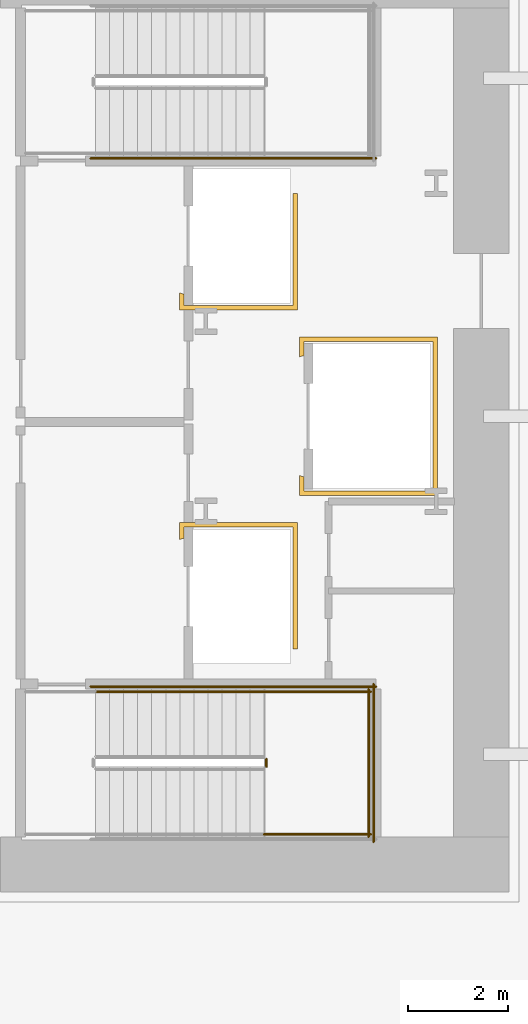
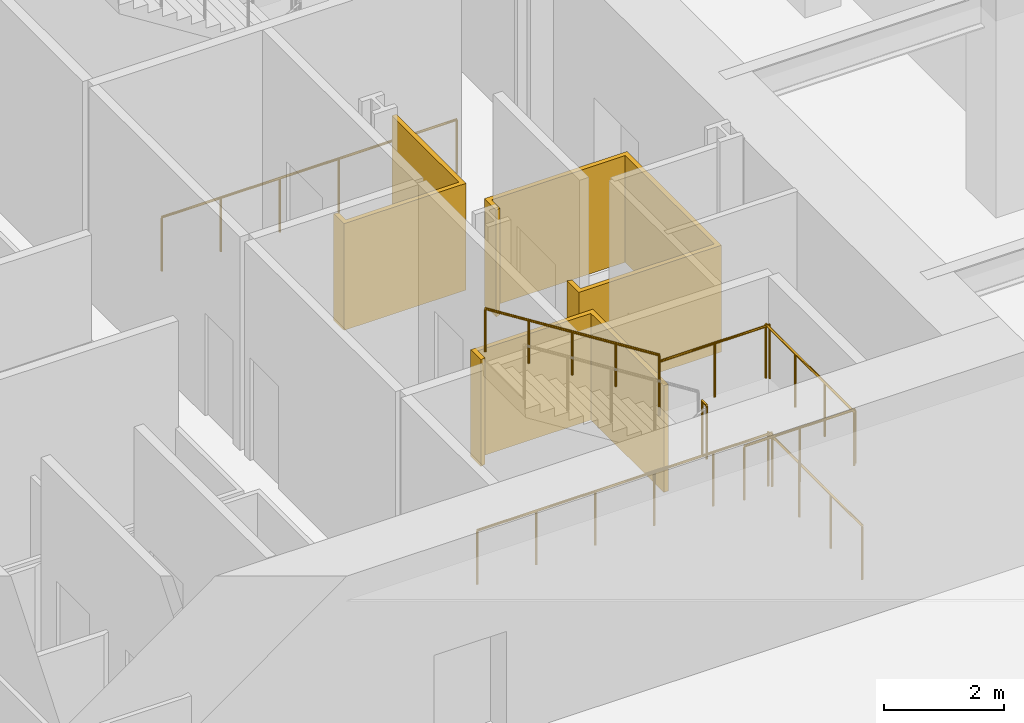
# One storey, part 13 of 18: 8 railings, 3 coverings.
"""IFC4 building model written with IfcOpenShell, lengths in metres."""

import ifcopenshell
import ifcopenshell.guid

model = None  # the IFC model being written
_history = None  # IfcOwnerHistory: only IFC2X3 demands one
_inside = {}  # id of a spatial element -> (the spatial element, [elements in it])
_under = {}  # id of a project, library or spatial element -> (it, [spatial elements below it])
_declared = {}  # id of a project -> (the project, [libraries it declares])
_typed = {}  # id of a type object -> (the type object, [elements of that type])
_made_of = {}  # id of a material, layer set ... -> (it, [elements and type objects made of it])


def new_model(schema):
    """Start an empty IFC model of exactly this schema.

    Asked for "IFC4X3", IfcOpenShell would pick the latest addendum, in which some entities
    have other attributes; the version numbers below select the first issue.
    IFC2X3 requires an IfcOwnerHistory on every rooted entity: one is made here for all.
    """
    global model, _history
    if schema == "IFC4X3":
        model = ifcopenshell.file(schema_version=(4, 3, 0, 0))
    else:
        model = ifcopenshell.file(schema=schema)
    _inside.clear()
    _under.clear()
    _declared.clear()
    _typed.clear()
    _made_of.clear()
    _history = None
    if model.schema == "IFC2X3":
        org = make("IfcOrganization", Name="unknown")
        user = make(
            "IfcPersonAndOrganization",
            ThePerson=make("IfcPerson", FamilyName="unknown"),
            TheOrganization=org,
        )
        app = make(
            "IfcApplication",
            ApplicationDeveloper=org,
            Version="unknown",
            ApplicationFullName="unknown",
            ApplicationIdentifier="unknown",
        )
        _history = make(
            "IfcOwnerHistory",
            OwningUser=user,
            OwningApplication=app,
            ChangeAction="ADDED",
            CreationDate=0,
        )
    return model


def make(cls, **values):
    """One entity of the class cls with the attributes given. An attribute that is None is left unset."""
    return model.create_entity(
        cls, **{name: value for name, value in values.items() if value is not None}
    )


def rooted(cls, **values):
    """An entity with a GlobalId (a new one), such as an element, a storey or a relation."""
    return make(cls, GlobalId=ifcopenshell.guid.new(), OwnerHistory=_history, **values)


def si_unit(unit_type, name, prefix=None):
    """IfcSIUnit, for example si_unit("LENGTHUNIT", "METRE", prefix="MILLI")."""
    return make("IfcSIUnit", UnitType=unit_type, Prefix=prefix, Name=name)


def assignment(units):
    """IfcUnitAssignment: the units of a project."""
    return None if units is None else make("IfcUnitAssignment", Units=units)


def point(xyz):
    """IfcCartesianPoint."""
    return None if xyz is None else make("IfcCartesianPoint", Coordinates=xyz)


def direction(xyz):
    """IfcDirection."""
    return None if xyz is None else make("IfcDirection", DirectionRatios=xyz)


def frame(location, z_axis=None, x_axis=None):
    """IfcAxis2Placement3D, a coordinate frame: its origin and axes. An axis left out is left unset."""
    return make(
        "IfcAxis2Placement3D",
        Location=point(location),
        Axis=direction(z_axis),
        RefDirection=direction(x_axis),
    )


def frame_2d(location, x_axis=None):
    """IfcAxis2Placement2D, a coordinate frame in the plane: its origin and x axis."""
    return make(
        "IfcAxis2Placement2D", Location=point(location), RefDirection=direction(x_axis)
    )


def origin():
    """The frame at (0, 0, 0) with its axes left unset."""
    return frame((0.0, 0.0, 0.0))


def origin_2d():
    """The frame at (0, 0) in the plane with its x axis left unset."""
    return frame_2d((0.0, 0.0))


def place(relative_to, where):
    """IfcLocalPlacement: puts the frame where relative to a parent placement (None: the world)."""
    return make(
        "IfcLocalPlacement", PlacementRelTo=relative_to, RelativePlacement=where
    )


def context(
    kind, dimensions, precision=None, world=None, true_north=None, identifier=None
):
    """IfcGeometricRepresentationContext, for example the 3D "Model" context."""
    return make(
        "IfcGeometricRepresentationContext",
        ContextIdentifier=identifier,
        ContextType=kind,
        CoordinateSpaceDimension=dimensions,
        Precision=precision,
        WorldCoordinateSystem=world,
        TrueNorth=true_north,
    )


def subcontext(parent, identifier, kind, view, scale=None):
    """IfcGeometricRepresentationSubContext, for example "Body" below "Model"."""
    return make(
        "IfcGeometricRepresentationSubContext",
        ContextIdentifier=identifier,
        ContextType=kind,
        ParentContext=parent,
        TargetScale=scale,
        TargetView=view,
    )


def project(units=None, contexts=None):
    """IfcProject with its units and contexts."""
    return rooted(
        "IfcProject",
        Name="project",
        RepresentationContexts=contexts,
        UnitsInContext=assignment(units),
    )


def spatial(cls, under=None, at=None, **own):
    """A site, building, storey or space (cls), placed at a placement, below another one or the project."""
    s = rooted(cls, ObjectPlacement=at, **own)
    if under is not None:
        _under.setdefault(under.id(), (under, []))[1].append(s)
    return s


def polyline(points):
    """IfcPolyline through the points."""
    return make("IfcPolyline", Points=[point(p) for p in points])


def profile(cls, at=None, kind="AREA", **sizes):
    """A parametric profile (cls). Its sizes go by their IFC names, for example OverallWidth=200.0."""
    return make(cls, ProfileType=kind, Position=at, **sizes)


def circle(**sizes):
    """IfcCircleProfileDef."""
    return profile("IfcCircleProfileDef", **sizes)


def outline(outer, holes=None, kind="AREA"):
    """IfcArbitraryClosedProfileDef: a profile drawn as a closed curve; with holes, ...WithVoids."""
    if holes is None:
        return make("IfcArbitraryClosedProfileDef", ProfileType=kind, OuterCurve=outer)
    return make(
        "IfcArbitraryProfileDefWithVoids",
        ProfileType=kind,
        OuterCurve=outer,
        InnerCurves=holes,
    )


def extrude(swept, where, along, depth):
    """IfcExtrudedAreaSolid: the profile swept, set in the frame where, extruded along a direction by depth."""
    return make(
        "IfcExtrudedAreaSolid",
        SweptArea=swept,
        Position=where,
        ExtrudedDirection=direction(along),
        Depth=depth,
    )


def shape(context_of_items, identifier, shape_type, items):
    """IfcShapeRepresentation: the items that make up one representation, for example the "Body"."""
    return make(
        "IfcShapeRepresentation",
        ContextOfItems=context_of_items,
        RepresentationIdentifier=identifier,
        RepresentationType=shape_type,
        Items=items,
    )


def material(Name=None, Category=None):
    """IfcMaterial."""
    return make("IfcMaterial", Name=Name, Category=Category)


def layer(
    of_material, thickness, ventilated=None, Name=None, Category=None, Priority=None
):
    """IfcMaterialLayer: one layer of a wall or slab, of a material (None: an air gap)."""
    return make(
        "IfcMaterialLayer",
        Material=of_material,
        LayerThickness=thickness,
        IsVentilated=ventilated,
        Name=Name,
        Category=Category,
        Priority=Priority,
    )


def layer_set(layers, Name=None):
    """IfcMaterialLayerSet."""
    return make("IfcMaterialLayerSet", MaterialLayers=layers, LayerSetName=Name)


def made_of(thing, what):
    """Note that an element or type object is made of a material, layer set ...; save() writes the relation."""
    if what is not None:
        _made_of.setdefault(what.id(), (what, []))[1].append(thing)
    return thing


def type_object(cls, material=None, **own):
    """A type object (cls), such as IfcWallType, which elements share."""
    return made_of(rooted(cls, **own), material)


def element(
    cls,
    number,
    at=None,
    inside=None,
    cuts=None,
    type_object=None,
    material=None,
    context=None,
    identifier="Body",
    shape_type=None,
    held_by="IfcProductDefinitionShape",
    body=None,
    shapes=None,
    **own,
):
    """One element of the class cls, such as IfcWall. Its Tag is "e" and its number.

    at: its placement. inside: the storey or other place that contains it. cuts: it is an
    opening in that element (IfcRelVoidsElement). A single representation is given by context,
    identifier, shape_type and body (its items); several are given by shapes. held_by: the class
    of the entity that holds the representations. save() writes the other relations.
    """
    e = rooted(cls, Tag="e%d" % number, ObjectPlacement=at, **own)
    if body is not None:
        shapes = [shape(context, identifier, shape_type, body)]
    if shapes is not None:
        e.Representation = make(held_by, Representations=shapes)
    if inside is not None:
        _inside.setdefault(inside.id(), (inside, []))[1].append(e)
    if cuts is not None:
        rooted(
            "IfcRelVoidsElement", RelatingBuildingElement=cuts, RelatedOpeningElement=e
        )
    if type_object is not None:
        _typed.setdefault(type_object.id(), (type_object, []))[1].append(e)
    return made_of(e, material)


def aggregate(whole, parts):
    """IfcRelAggregates: a whole, such as a stair, and the parts it consists of."""
    return rooted("IfcRelAggregates", RelatingObject=whole, RelatedObjects=parts)


def save(model, path):
    """Write the relations noted so far, then the file.

    IfcRelAggregates (storeys below a building ...), IfcRelContainedInSpatialStructure (elements
    in a storey), IfcRelDefinesByType, IfcRelAssociatesMaterial and IfcRelDeclares: one each for
    every whole, place, type object, material and project.
    """
    for whole, parts in _under.values():
        aggregate(whole, parts)
    for where, things in _inside.values():
        rooted(
            "IfcRelContainedInSpatialStructure",
            RelatedElements=things,
            RelatingStructure=where,
        )
    for kind, things in _typed.values():
        rooted("IfcRelDefinesByType", RelatedObjects=things, RelatingType=kind)
    for what, things in _made_of.values():
        rooted("IfcRelAssociatesMaterial", RelatedObjects=things, RelatingMaterial=what)
    for by, libraries in _declared.values():
        rooted("IfcRelDeclares", RelatingContext=by, RelatedDefinitions=libraries)
    model.write(path)


model = new_model("IFC4")

# Units and contexts
model_context = context("Model", 3, precision=1e-05, world=origin(), true_north=direction((0.0, 1.0)))
body_context = subcontext(model_context, "Body", "Model", "MODEL_VIEW")
ifc_project = project(units=[si_unit("LENGTHUNIT", "METRE"), si_unit("AREAUNIT", "SQUARE_METRE"), si_unit("VOLUMEUNIT", "CUBIC_METRE"), si_unit("PLANEANGLEUNIT", "RADIAN"), si_unit("MASSUNIT", "GRAM", prefix="KILO")], contexts=[model_context])

# Site, building, storey
site_placement = place(None, origin())
site = spatial("IfcSite", under=ifc_project, at=site_placement, CompositionType="ELEMENT")
building_placement = place(site_placement, origin())
building = spatial("IfcBuilding", under=site, at=building_placement, Name="Valkerne Bourse Tower", CompositionType="ELEMENT")
storey_placement = place(building_placement, frame((0.0, 0.0, 14.800048828125)))
storey = spatial("IfcBuildingStorey", under=building, at=storey_placement, Name="L03", CompositionType="ELEMENT", Elevation=14.800048828125)

# Coverings
ifc_material_1 = material(Name="Gypsum Shaftwall Liner Board", Category="gypsum")
ifc_layer = layer(ifc_material_1, 0.080078125)
ifc_layer_set = layer_set([ifc_layer], Name="Gypsum Shaftwall Liner Board")
covering_type = type_object("IfcCoveringType", Name="COV-SHF-CLAD", PredefinedType="CLADDING", material=ifc_layer_set)
covering_1_placement = place(storey_placement, origin())
element("IfcCovering", 1, at=covering_1_placement, inside=storey, type_object=covering_type, Name="L03 Hoistway & Riser Shaftwall Liner 07", PredefinedType="CLADDING", context=body_context, shape_type="SweptSolid", body=[
    extrude(outline(polyline([(52.179931640625, 22.35009765625), (52.090087890625, 22.35009765625), (52.090087890625, 24.7900390625), (49.909912109375, 24.7900390625), (49.909912109375, 24.560791015625), (49.869384765625, 24.550537109375), (49.827880859375, 24.53564453125), (49.820068359375, 24.531982421875), (49.820068359375, 24.8798828125), (52.179931640625, 24.8798828125), (52.179931640625, 22.35009765625)])), origin(), (0.0, 0.0, 1.0), 2.179931640625),
])
covering_2_placement = place(storey_placement, origin())
element("IfcCovering", 2, at=covering_2_placement, inside=storey, type_object=covering_type, Name="L03 Hoistway & Riser Shaftwall Liner 08", PredefinedType="CLADDING", context=body_context, shape_type="SweptSolid", body=[
    extrude(outline(polyline([(54.97998046875, 25.419921875), (52.219970703125, 25.419921875), (52.219970703125, 25.81787109375), (52.227783203125, 25.814208984375), (52.269287109375, 25.79931640625), (52.31005859375, 25.789306640625), (52.31005859375, 25.510009765625), (54.889892578125, 25.510009765625), (54.889892578125, 28.489990234375), (52.31005859375, 28.489990234375), (52.31005859375, 28.210693359375), (52.269287109375, 28.20068359375), (52.227783203125, 28.185791015625), (52.219970703125, 28.18212890625), (52.219970703125, 28.580078125), (54.97998046875, 28.580078125), (54.97998046875, 25.419921875)])), origin(), (0.0, 0.0, 1.0), 2.179931640625),
])
covering_3_placement = place(storey_placement, origin())
element("IfcCovering", 3, at=covering_3_placement, inside=storey, type_object=covering_type, Name="L03 Hoistway & Riser Shaftwall Liner 10", PredefinedType="CLADDING", context=body_context, shape_type="SweptSolid", body=[
    extrude(outline(polyline([(49.820068359375, 29.1201171875), (49.820068359375, 29.468017578125), (49.827880859375, 29.46435546875), (49.869384765625, 29.449462890625), (49.909912109375, 29.439208984375), (49.909912109375, 29.2099609375), (52.090087890625, 29.2099609375), (52.090087890625, 31.449951171875), (52.179931640625, 31.449951171875), (52.179931640625, 29.1201171875), (49.820068359375, 29.1201171875)])), origin(), (0.0, 0.0, 1.0), 2.179931640625),
])

# Railings
ifc_material_2 = material(Name="Galvanised Painted Steel", Category="steel")
railing_type_1 = type_object("IfcRailingType", Name="RLG-ST-GUARD-1120", PredefinedType="GUARDRAIL", material=ifc_material_2)
railing_1_placement = place(storey_placement, frame((51.56005859375, 20.0, 2.300048828125)))
element("IfcRailing", 4, at=railing_1_placement, inside=storey, type_object=railing_type_1, Name="L03 ST-1 stair guard 2", PredefinedType="GUARDRAIL", context=body_context, shape_type="SweptSolid", body=[
    extrude(circle(Radius=0.02392578125, at=origin_2d()), frame((0.0, 0.0, 1.09619140625), z_axis=(0.0, 1.0, 0.0), x_axis=(-1.0, 0.0, 0.0)), (0.0, 0.0, 1.0), 0.14990234375),
    extrude(circle(Radius=0.02099609375, at=origin_2d()), origin(), (0.0, 0.0, 1.0), 1.072021484375),
    extrude(circle(Radius=0.02099609375, at=origin_2d()), frame((0.0, 0.14990234375, 0.0)), (0.0, 0.0, 1.0), 1.072021484375),
])
for number, where, name in (
    (5, (51.510009765625, 18.64990234375, 2.300048828125), "L03 ST-1 stair guard 3"),
    (6, (51.510009765625, 21.5, 2.300048828125), "L03 ST-1 stair guard 4"),
):
    element("IfcRailing", number, at=place(storey_placement, frame(where)), inside=storey, type_object=railing_type_1, Name=name, PredefinedType="GUARDRAIL", context=body_context, shape_type="SweptSolid", body=[
        extrude(circle(Radius=0.02392578125, at=origin_2d()), frame((0.0, 0.0, 1.09619140625), z_axis=(1.0, 0.0, 0.0), x_axis=(0.0, 1.0, 0.0)), (0.0, 0.0, 1.0), 2.139892578125),
        extrude(circle(Radius=0.02099609375, at=origin_2d()), origin(), (0.0, 0.0, 1.0), 1.072021484375),
        extrude(circle(Radius=0.02099609375, at=origin_2d()), frame((1.06982421875, 0.0, 0.0)), (0.0, 0.0, 1.0), 1.072021484375),
        extrude(circle(Radius=0.02099609375, at=origin_2d()), frame((2.139892578125, 0.0, 0.0)), (0.0, 0.0, 1.0), 1.072021484375),
    ])
railing_2_placement = place(storey_placement, frame((53.60009765625, 18.60009765625, 2.300048828125)))
element("IfcRailing", 7, at=railing_2_placement, inside=storey, type_object=railing_type_1, Name="L03 ST-1 stair guard 5", PredefinedType="GUARDRAIL", context=body_context, shape_type="SweptSolid", body=[
    extrude(circle(Radius=0.02392578125, at=origin_2d()), frame((0.0, 0.0, 1.09619140625), z_axis=(0.0, 1.0, 0.0), x_axis=(-1.0, 0.0, 0.0)), (0.0, 0.0, 1.0), 2.949951171875),
    extrude(circle(Radius=0.02099609375, at=origin_2d()), origin(), (0.0, 0.0, 1.0), 1.072021484375),
    extrude(circle(Radius=0.02099609375, at=origin_2d()), frame((0.0, 0.9833984375, 0.0)), (0.0, 0.0, 1.0), 1.072021484375),
    extrude(circle(Radius=0.02099609375, at=origin_2d()), frame((0.0, 1.966552734375, 0.0)), (0.0, 0.0, 1.0), 1.072021484375),
    extrude(circle(Radius=0.02099609375, at=origin_2d()), frame((0.0, 2.949951171875, 0.0)), (0.0, 0.0, 1.0), 1.072021484375),
])
railing_3_placement = place(storey_placement, frame((48.050048828125, 21.60009765625, 0.0)))
element("IfcRailing", 8, at=railing_3_placement, inside=storey, type_object=railing_type_1, Name="L03 ST-1 stair guard 11", PredefinedType="GUARDRAIL", context=body_context, shape_type="SweptSolid", body=[
    extrude(circle(Radius=0.02392578125, at=origin_2d()), frame((0.0, 0.0, 1.09619140625), z_axis=(1.0, 0.0, 0.0), x_axis=(0.0, 1.0, 0.0)), (0.0, 0.0, 1.0), 5.699951171875),
    extrude(circle(Radius=0.02099609375, at=origin_2d()), origin(), (0.0, 0.0, 1.0), 1.072021484375),
    extrude(circle(Radius=0.02099609375, at=origin_2d()), frame((1.139892578125, 0.0, 0.0)), (0.0, 0.0, 1.0), 1.072021484375),
    extrude(circle(Radius=0.02099609375, at=origin_2d()), frame((2.280029296875, 0.0, 0.0)), (0.0, 0.0, 1.0), 1.072021484375),
    extrude(circle(Radius=0.02099609375, at=origin_2d()), frame((3.419921875, 0.0, 0.0)), (0.0, 0.0, 1.0), 1.072021484375),
    extrude(circle(Radius=0.02099609375, at=origin_2d()), frame((4.56005859375, 0.0, 0.0)), (0.0, 0.0, 1.0), 1.072021484375),
    extrude(circle(Radius=0.02099609375, at=origin_2d()), frame((5.699951171875, 0.0, 0.0)), (0.0, 0.0, 1.0), 1.072021484375),
])
railing_4_placement = place(storey_placement, frame((53.699951171875, 18.5, 0.0)))
element("IfcRailing", 9, at=railing_4_placement, inside=storey, type_object=railing_type_1, Name="L03 ST-1 stair guard 12", PredefinedType="GUARDRAIL", context=body_context, shape_type="SweptSolid", body=[
    extrude(circle(Radius=0.02392578125, at=origin_2d()), frame((0.0, 0.0, 1.09619140625), z_axis=(0.0, 1.0, 0.0), x_axis=(-1.0, 0.0, 0.0)), (0.0, 0.0, 1.0), 3.14990234375),
    extrude(circle(Radius=0.02099609375, at=origin_2d()), origin(), (0.0, 0.0, 1.0), 1.072021484375),
    extrude(circle(Radius=0.02099609375, at=origin_2d()), frame((0.0, 1.050048828125, 0.0)), (0.0, 0.0, 1.0), 1.072021484375),
    extrude(circle(Radius=0.02099609375, at=origin_2d()), frame((0.0, 2.099853515625, 0.0)), (0.0, 0.0, 1.0), 1.072021484375),
    extrude(circle(Radius=0.02099609375, at=origin_2d()), frame((0.0, 3.14990234375, 0.0)), (0.0, 0.0, 1.0), 1.072021484375),
])
railing_5_placement = place(storey_placement, frame((48.050048828125, 32.14990234375, 0.0)))
element("IfcRailing", 10, at=railing_5_placement, inside=storey, type_object=railing_type_1, Name="L03 ST-2 stair guard 10", PredefinedType="GUARDRAIL", context=body_context, shape_type="SweptSolid", body=[
    extrude(circle(Radius=0.02392578125, at=origin_2d()), frame((0.0, 0.0, 1.09619140625), z_axis=(1.0, 0.0, 0.0), x_axis=(0.0, 1.0, 0.0)), (0.0, 0.0, 1.0), 5.699951171875),
    extrude(circle(Radius=0.02099609375, at=origin_2d()), origin(), (0.0, 0.0, 1.0), 1.072021484375),
    extrude(circle(Radius=0.02099609375, at=origin_2d()), frame((1.139892578125, 0.0, 0.0)), (0.0, 0.0, 1.0), 1.072021484375),
    extrude(circle(Radius=0.02099609375, at=origin_2d()), frame((2.280029296875, 0.0, 0.0)), (0.0, 0.0, 1.0), 1.072021484375),
    extrude(circle(Radius=0.02099609375, at=origin_2d()), frame((3.419921875, 0.0, 0.0)), (0.0, 0.0, 1.0), 1.072021484375),
    extrude(circle(Radius=0.02099609375, at=origin_2d()), frame((4.56005859375, 0.0, 0.0)), (0.0, 0.0, 1.0), 1.072021484375),
    extrude(circle(Radius=0.02099609375, at=origin_2d()), frame((5.699951171875, 0.0, 0.0)), (0.0, 0.0, 1.0), 1.072021484375),
])
ifc_material_3 = material(Name="Stainless Steel AISI 316", Category="steel")
railing_type_2 = type_object("IfcRailingType", Name="RLG-ST-HANDRAIL-900", PredefinedType="HANDRAIL", material=ifc_material_3)
railing_6_placement = place(storey_placement, frame((51.510009765625, 21.5, 2.65380859375)))
element("IfcRailing", 11, at=railing_6_placement, inside=storey, type_object=railing_type_2, Name="L03 ST-1 stair handrail 2", PredefinedType="HANDRAIL", context=body_context, shape_type="SweptSolid", body=[
    extrude(circle(Radius=0.02392578125, at=origin_2d()), frame((0.0, 0.0, 0.8759765625), z_axis=(-0.845389635667, 0.0, 0.534150132366), x_axis=(0.0, -1.0, 0.0)), (0.0, 0.0, 1.0), 3.974609375),
    extrude(circle(Radius=0.02099609375, at=origin_2d()), origin(), (0.0, 0.0, 1.0), 0.851806640625),
    extrude(circle(Radius=0.02099609375, at=origin_2d()), frame((-0.840087890625, 0.0, 0.53076171875)), (0.0, 0.0, 1.0), 0.851806640625),
    extrude(circle(Radius=0.02099609375, at=origin_2d()), frame((-1.68017578125, 0.0, 1.0615234375)), (0.0, 0.0, 1.0), 0.851806640625),
    extrude(circle(Radius=0.02099609375, at=origin_2d()), frame((-2.52001953125, 0.0, 1.59228515625)), (0.0, 0.0, 1.0), 0.851806640625),
    extrude(circle(Radius=0.02099609375, at=origin_2d()), frame((-3.360107421875, 0.0, 2.123046875)), (0.0, 0.0, 1.0), 0.851806640625),
])

save(model, "model.ifc")
